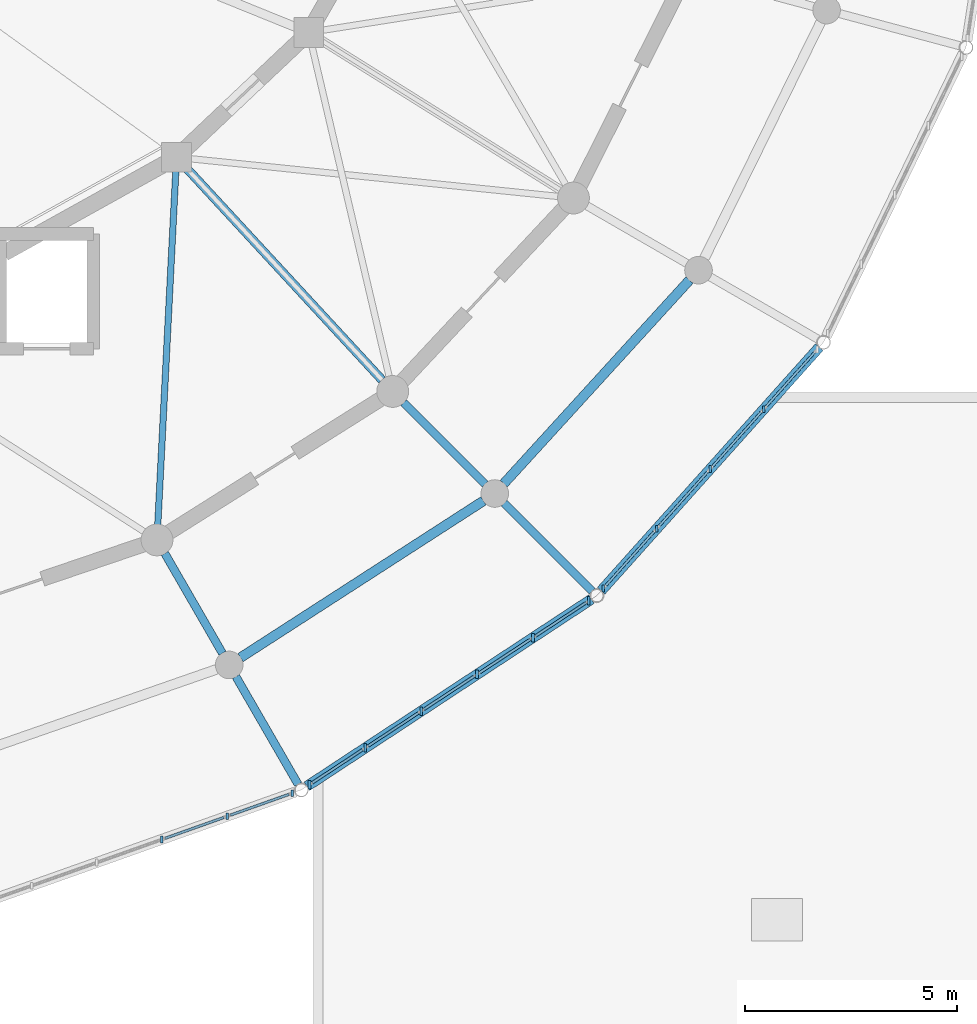
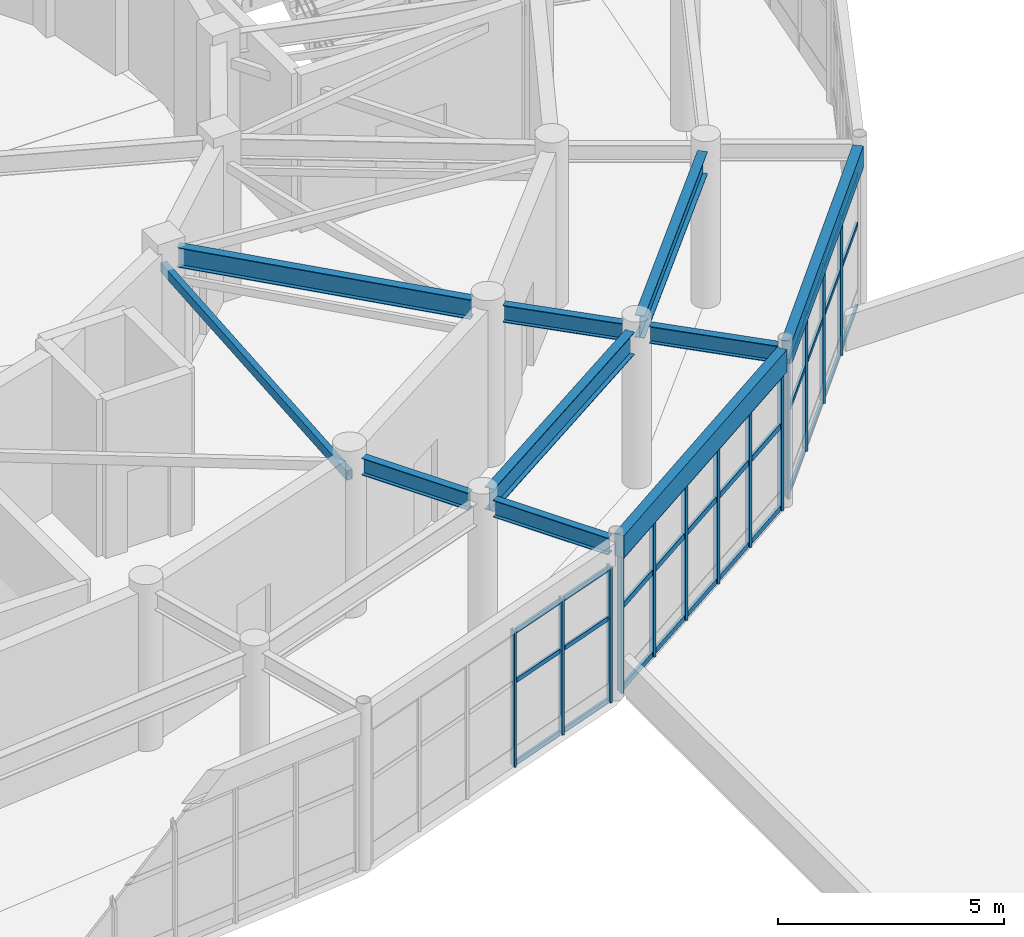
# One storey, part 59 of 112: 47 members, 9 beams, 3 elements without a shape of their own.
"""IFC4 building model written with IfcOpenShell, lengths in metres."""

from ifc_helpers import new_model, si_unit, direction, frame, origin, origin_2d, place, context, subcontext, project, spatial, rectangle, hollow_rectangle, i_section, extrude, material, material_profile, profile_set, type_object, element, aggregate, save


model = new_model("IFC4")

# Units and contexts
model_context = context("Model", 3, precision=1e-05, world=origin(), true_north=direction((0.0, 1.0)))
body_context = subcontext(model_context, "Body", "Model", "MODEL_VIEW")
ifc_project = project(units=[si_unit("LENGTHUNIT", "METRE"), si_unit("AREAUNIT", "SQUARE_METRE"), si_unit("VOLUMEUNIT", "CUBIC_METRE"), si_unit("PLANEANGLEUNIT", "RADIAN"), si_unit("MASSUNIT", "GRAM", prefix="KILO")], contexts=[model_context])

# Site, building, storey
site_placement = place(None, origin())
site = spatial("IfcSite", under=ifc_project, at=site_placement, CompositionType="ELEMENT")
building_placement = place(site_placement, origin())
building = spatial("IfcBuilding", under=site, at=building_placement, Name="Cinderbank Siding Concert Hall", CompositionType="ELEMENT")
storey_placement = place(building_placement, frame((0.0, 0.0, 10.199951171875)))
storey = spatial("IfcBuildingStorey", under=building, at=storey_placement, Name="L03", CompositionType="ELEMENT", Elevation=10.199951171875)

# Beams
ifc_material_1 = material(Name="Structural steel AS/NZS 3679.1 Grade 350 (340 MPa)", Category="steel")
ifc_material_profile_1 = material_profile(ifc_material_1, i_section(OverallWidth=0.19091796875, OverallDepth=0.46044921875, WebThickness=0.010009765625, FlangeThickness=0.01611328125, at=origin_2d()), Name="460UB82.1", Category="LoadBearing")
ifc_profile_set_1 = profile_set([ifc_material_profile_1], Name="Structural steel AS/NZS 3679.1 Grade 350 (340 MPa)")
beam_type_1 = type_object("IfcBeamType", Name="BM-UB460H 460UB82.1", PredefinedType="BEAM", material=ifc_profile_set_1)
beam_1_placement = place(storey_placement, frame((135.58349609375, 24.629638671875, 4.011962890625), z_axis=(0.499987022033, -0.866032896488, 0.0), x_axis=(0.866032896488, 0.499987022033, 0.0)))
element("IfcBeam", 1, at=beam_1_placement, inside=storey, type_object=beam_type_1, Name="L03 Beam BM-UB460H #623", PredefinedType="BEAM", context=body_context, shape_type="SweptSolid", body=[
    extrude(i_section(OverallWidth=0.19091796875, OverallDepth=0.46044921875, WebThickness=0.010009765625, FlangeThickness=0.01611328125, at=origin_2d()), origin(), (0.0, 0.0, 1.0), 2.7158203125),
])
beam_2_placement = place(storey_placement, frame((141.2099609375, 28.18408203125, 4.011962890625), z_axis=(0.707151723938, -0.707061835578, 0.0), x_axis=(0.707061835578, 0.707151723938, 0.0)))
element("IfcBeam", 2, at=beam_2_placement, inside=storey, type_object=beam_type_1, Name="L03 Beam BM-UB460H #624", PredefinedType="BEAM", context=body_context, shape_type="SweptSolid", body=[
    extrude(i_section(OverallWidth=0.19091796875, OverallDepth=0.46044921875, WebThickness=0.010009765625, FlangeThickness=0.01611328125, at=origin_2d()), origin(), (0.0, 0.0, 1.0), 2.716064453125),
])
for number, where, z_axis, x_axis, name in (
    (3, (137.258544921875, 21.728515625, 4.0517578125), (0.499958157915, -0.866049559976, 0.0), (0.866049559976, 0.499958157915, 0.0), "L03 Beam BM-UB460H #648"),
    (4, (143.578857421875, 25.815185546875, 4.0517578125), (0.707106781187, -0.707106781187, 0.0), (0.707106781187, 0.707106781187, 0.0), "L03 Beam BM-UB460H #649"),
):
    element("IfcBeam", number, at=place(storey_placement, frame(where, z_axis=z_axis, x_axis=x_axis)), inside=storey, type_object=beam_type_1, Name=name, PredefinedType="BEAM", context=body_context, shape_type="SweptSolid", body=[
        extrude(i_section(OverallWidth=0.19091796875, OverallDepth=0.46044921875, WebThickness=0.010009765625, FlangeThickness=0.01611328125, at=origin_2d()), origin(), (0.0, 0.0, 1.0), 2.928955078125),
    ])
ifc_material_profile_2 = material_profile(ifc_material_1, i_section(OverallWidth=0.208984375, OverallDepth=0.532958984375, WebThickness=0.01025390625, FlangeThickness=0.015625, at=origin_2d()), Name="530UB92.4", Category="LoadBearing")
ifc_profile_set_2 = profile_set([ifc_material_profile_2], Name="Structural steel AS/NZS 3679.1 Grade 350 (340 MPa)")
beam_type_2 = type_object("IfcBeamType", Name="BM-UB530H 530UB92.4", PredefinedType="BEAM", material=ifc_profile_set_2)
beam_3_placement = place(storey_placement, frame((136.09130859375, 33.707763671875, 3.985595703125), z_axis=(0.67829203735, -0.734792427879, 0.0), x_axis=(0.734792427879, 0.67829203735, 0.0)))
element("IfcBeam", 5, at=beam_3_placement, inside=storey, type_object=beam_type_2, Name="L03 Beam BM-UB530H #601", PredefinedType="BEAM", context=body_context, shape_type="SweptSolid", body=[
    extrude(i_section(OverallWidth=0.208984375, OverallDepth=0.532958984375, WebThickness=0.01025390625, FlangeThickness=0.015625, at=origin_2d()), origin(), (0.0, 0.0, 1.0), 6.797119140625),
])
ifc_material_profile_3 = material_profile(ifc_material_1, i_section(OverallWidth=0.22802734375, OverallDepth=0.60693359375, WebThickness=0.01123046875, FlangeThickness=0.017333984375, at=origin_2d()), Name="610UB113", Category="LoadBearing")
ifc_profile_set_3 = profile_set([ifc_material_profile_3], Name="Structural steel AS/NZS 3679.1 Grade 350 (340 MPa)")
beam_type_3 = type_object("IfcBeamType", Name="BM-UB610M 610UB113", PredefinedType="BEAM", material=ifc_profile_set_3)
beam_4_placement = place(storey_placement, frame((137.3662109375, 22.1748046875, 3.9384765625), z_axis=(0.840219727246, 0.542246078775, 0.0), x_axis=(-0.542246078775, 0.840219727246, 0.0)))
element("IfcBeam", 6, at=beam_4_placement, inside=storey, type_object=beam_type_3, Name="L03 Beam BM-UB610M #565", PredefinedType="BEAM", context=body_context, shape_type="SweptSolid", body=[
    extrude(i_section(OverallWidth=0.22802734375, OverallDepth=0.60693359375, WebThickness=0.01123046875, FlangeThickness=0.017333984375, at=origin_2d()), origin(), (0.0, 0.0, 1.0), 6.810302734375),
])
beam_5_placement = place(storey_placement, frame((143.568359375, 26.273681640625, 3.9384765625), z_axis=(0.67395874418, 0.73876898361, 0.0), x_axis=(-0.73876898361, 0.67395874418, 0.0)))
element("IfcBeam", 7, at=beam_5_placement, inside=storey, type_object=beam_type_3, Name="L03 Beam BM-UB610M #566", PredefinedType="BEAM", context=body_context, shape_type="SweptSolid", body=[
    extrude(i_section(OverallWidth=0.22802734375, OverallDepth=0.60693359375, WebThickness=0.01123046875, FlangeThickness=0.017333984375, at=origin_2d()), origin(), (0.0, 0.0, 1.0), 6.48681640625),
])

# Curtain wall, members
ifc_material_2 = material(Name="Anodised aluminium alloy 6063-T6", Category="aluminium")
curtain_wall_type_1 = type_object("IfcCurtainWallType", Name="CW-08 Unitised Acoustic Curtain Wall 6400x3800", PredefinedType="NOTDEFINED", material=ifc_material_2)
curtain_wall_1_placement = place(storey_placement, origin())
curtain_wall_1 = element("IfcCurtainWall", 8, at=curtain_wall_1_placement, inside=storey, type_object=curtain_wall_type_1, Name="L03 Curtain Wall CW-08 #44", PredefinedType="NOTDEFINED")
ifc_material_profile_4 = material_profile(ifc_material_2, rectangle(XDim=0.06005859375, YDim=0.159912109375, at=origin_2d()), Name="ALU-MULL-60x160", Category="LoadBearing")
ifc_profile_set_4 = profile_set([ifc_material_profile_4], Name="Anodised aluminium alloy 6063-T6")
member_type_1 = type_object("IfcMemberType", Name="CW-ML1 Mullion 60x160", PredefinedType="MULLION", material=ifc_profile_set_4)
member_1_placement = place(storey_placement, frame((135.515625, 17.892333984375, 0.0), z_axis=(0.0, 0.0, 1.0), x_axis=(1.0, 0.0, 0.0)))
member_1 = element("IfcMember", 9, at=member_1_placement, type_object=member_type_1, Name="CW-L03-044 Mullion 3", PredefinedType="MULLION", context=body_context, shape_type="SweptSolid", body=[
    extrude(rectangle(XDim=0.06005859375, YDim=0.159912109375, at=origin_2d()), origin(), (0.0, 0.0, 1.0), 3.6669921875),
])
member_2_placement = place(storey_placement, frame((137.05078125, 18.4375, 0.0), z_axis=(0.0, 0.0, 1.0), x_axis=(1.0, 0.0, 0.0)))
member_2 = element("IfcMember", 10, at=member_2_placement, type_object=member_type_1, Name="CW-L03-044 Mullion 4", PredefinedType="MULLION", context=body_context, shape_type="SweptSolid", body=[
    extrude(rectangle(XDim=0.06005859375, YDim=0.159912109375, at=origin_2d()), origin(), (0.0, 0.0, 1.0), 3.6669921875),
])
member_3_placement = place(storey_placement, frame((138.586181640625, 18.982666015625, 0.0), z_axis=(0.0, 0.0, 1.0), x_axis=(1.0, 0.0, 0.0)))
member_3 = element("IfcMember", 11, at=member_3_placement, type_object=member_type_1, Name="CW-L03-044 Mullion 5", PredefinedType="MULLION", context=body_context, shape_type="SweptSolid", body=[
    extrude(rectangle(XDim=0.06005859375, YDim=0.159912109375, at=origin_2d()), origin(), (0.0, 0.0, 1.0), 3.6669921875),
])

curtain_wall_type_2 = type_object("IfcCurtainWallType", Name="CW-10 Unitised Acoustic Curtain Wall 7200x3500", PredefinedType="NOTDEFINED", material=ifc_material_2)
curtain_wall_2_placement = place(storey_placement, origin())
curtain_wall_2 = element("IfcCurtainWall", 12, at=curtain_wall_2_placement, inside=storey, type_object=curtain_wall_type_2, Name="L03 Curtain Wall CW-10 #46", PredefinedType="NOTDEFINED")
member_4_placement = place(storey_placement, frame((145.91015625, 23.804443359375, 0.0), z_axis=(0.0, 0.0, 1.0), x_axis=(1.0, 0.0, 0.0)))
member_4 = element("IfcMember", 13, at=member_4_placement, type_object=member_type_1, Name="CW-L03-046 Mullion 0", PredefinedType="MULLION", context=body_context, shape_type="SweptSolid", body=[
    extrude(rectangle(XDim=0.06005859375, YDim=0.159912109375, at=origin_2d()), origin(), (0.0, 0.0, 1.0), 3.6669921875),
])
member_5_placement = place(storey_placement, frame((147.16943359375, 25.2109375, 0.0), z_axis=(0.0, 0.0, 1.0), x_axis=(1.0, 0.0, 0.0)))
member_5 = element("IfcMember", 14, at=member_5_placement, type_object=member_type_1, Name="CW-L03-046 Mullion 1", PredefinedType="MULLION", context=body_context, shape_type="SweptSolid", body=[
    extrude(rectangle(XDim=0.06005859375, YDim=0.159912109375, at=origin_2d()), origin(), (0.0, 0.0, 1.0), 3.6669921875),
])
member_6_placement = place(storey_placement, frame((148.4287109375, 26.61767578125, 0.0), z_axis=(0.0, 0.0, 1.0), x_axis=(1.0, 0.0, 0.0)))
member_6 = element("IfcMember", 15, at=member_6_placement, type_object=member_type_1, Name="CW-L03-046 Mullion 2", PredefinedType="MULLION", context=body_context, shape_type="SweptSolid", body=[
    extrude(rectangle(XDim=0.06005859375, YDim=0.159912109375, at=origin_2d()), origin(), (0.0, 0.0, 1.0), 3.6669921875),
])
member_7_placement = place(storey_placement, frame((149.68798828125, 28.0244140625, 0.0), z_axis=(0.0, 0.0, 1.0), x_axis=(1.0, 0.0, 0.0)))
member_7 = element("IfcMember", 16, at=member_7_placement, type_object=member_type_1, Name="CW-L03-046 Mullion 3", PredefinedType="MULLION", context=body_context, shape_type="SweptSolid", body=[
    extrude(rectangle(XDim=0.06005859375, YDim=0.159912109375, at=origin_2d()), origin(), (0.0, 0.0, 1.0), 3.6669921875),
])

curtain_wall_type_3 = type_object("IfcCurtainWallType", Name="CW-09 Unitised Acoustic Curtain Wall 8000x3500", PredefinedType="NOTDEFINED", material=ifc_material_2)
curtain_wall_3_placement = place(storey_placement, origin())
curtain_wall_3 = element("IfcCurtainWall", 17, at=curtain_wall_3_placement, inside=storey, type_object=curtain_wall_type_3, Name="L03 Curtain Wall CW-09 #45", PredefinedType="NOTDEFINED")
ifc_material_profile_5 = material_profile(ifc_material_2, rectangle(XDim=0.06494140625, YDim=0.199951171875, at=origin_2d()), Name="ALU-MULL-65x200", Category="LoadBearing")
ifc_profile_set_5 = profile_set([ifc_material_profile_5], Name="Anodised aluminium alloy 6063-T6")
member_type_2 = type_object("IfcMemberType", Name="CW-ML2 Mullion 65x200", PredefinedType="MULLION", material=ifc_profile_set_5)
member_8_placement = place(storey_placement, frame((138.989501953125, 19.18310546875, 0.0), z_axis=(0.0, 0.0, 1.0), x_axis=(1.0, 0.0, 0.0)))
member_8 = element("IfcMember", 18, at=member_8_placement, type_object=member_type_2, Name="CW-L03-045 Mullion 0", PredefinedType="MULLION", context=body_context, shape_type="SweptSolid", body=[
    extrude(rectangle(XDim=0.06494140625, YDim=0.199951171875, at=origin_2d()), origin(), (0.0, 0.0, 1.0), 3.6669921875),
])
member_9_placement = place(storey_placement, frame((140.305419921875, 20.048583984375, 0.0), z_axis=(0.0, 0.0, 1.0), x_axis=(1.0, 0.0, 0.0)))
member_9 = element("IfcMember", 19, at=member_9_placement, type_object=member_type_2, Name="CW-L03-045 Mullion 1", PredefinedType="MULLION", context=body_context, shape_type="SweptSolid", body=[
    extrude(rectangle(XDim=0.06494140625, YDim=0.199951171875, at=origin_2d()), origin(), (0.0, 0.0, 1.0), 3.6669921875),
])
member_10_placement = place(storey_placement, frame((141.621337890625, 20.914306640625, 0.0), z_axis=(0.0, 0.0, 1.0), x_axis=(1.0, 0.0, 0.0)))
member_10 = element("IfcMember", 20, at=member_10_placement, type_object=member_type_2, Name="CW-L03-045 Mullion 2", PredefinedType="MULLION", context=body_context, shape_type="SweptSolid", body=[
    extrude(rectangle(XDim=0.06494140625, YDim=0.199951171875, at=origin_2d()), origin(), (0.0, 0.0, 1.0), 3.6669921875),
])
member_11_placement = place(storey_placement, frame((142.9375, 21.779541015625, 0.0), z_axis=(0.0, 0.0, 1.0), x_axis=(1.0, 0.0, 0.0)))
member_11 = element("IfcMember", 21, at=member_11_placement, type_object=member_type_2, Name="CW-L03-045 Mullion 3", PredefinedType="MULLION", context=body_context, shape_type="SweptSolid", body=[
    extrude(rectangle(XDim=0.06494140625, YDim=0.199951171875, at=origin_2d()), origin(), (0.0, 0.0, 1.0), 3.6669921875),
])
member_12_placement = place(storey_placement, frame((144.25341796875, 22.64501953125, 0.0), z_axis=(0.0, 0.0, 1.0), x_axis=(1.0, 0.0, 0.0)))
member_12 = element("IfcMember", 22, at=member_12_placement, type_object=member_type_2, Name="CW-L03-045 Mullion 4", PredefinedType="MULLION", context=body_context, shape_type="SweptSolid", body=[
    extrude(rectangle(XDim=0.06494140625, YDim=0.199951171875, at=origin_2d()), origin(), (0.0, 0.0, 1.0), 3.6669921875),
])
member_13_placement = place(storey_placement, frame((145.569091796875, 23.510498046875, 0.0), z_axis=(0.0, 0.0, 1.0), x_axis=(1.0, 0.0, 0.0)))
member_13 = element("IfcMember", 23, at=member_13_placement, type_object=member_type_2, Name="CW-L03-045 Mullion 5", PredefinedType="MULLION", context=body_context, shape_type="SweptSolid", body=[
    extrude(rectangle(XDim=0.06494140625, YDim=0.199951171875, at=origin_2d()), origin(), (0.0, 0.0, 1.0), 3.6669921875),
])

# Member
ifc_material_profile_6 = material_profile(ifc_material_2, rectangle(XDim=0.06005859375, YDim=0.1201171875, at=origin_2d()), Name="ALU-TRAN-60x120", Category="LoadBearing")
ifc_profile_set_6 = profile_set([ifc_material_profile_6], Name="Anodised aluminium alloy 6063-T6")
member_type_3 = type_object("IfcMemberType", Name="CW-TR1 Transom 60x120", PredefinedType="USERDEFINED", material=ifc_profile_set_6)
member_14_placement = place(storey_placement, frame((135.592529296875, 17.919677734375, 0.06005859375), z_axis=(0.942376945381, 0.334552974602, 0.0), x_axis=(-0.334552974602, 0.942376945381, 0.0)))
member_14 = element("IfcMember", 24, at=member_14_placement, type_object=member_type_3, Name="CW-L03-044 Transom 3-0", ObjectType="TRANSOM", PredefinedType="USERDEFINED", context=body_context, shape_type="SweptSolid", body=[
    extrude(rectangle(XDim=0.06005859375, YDim=0.1201171875, at=origin_2d()), origin(), (0.0, 0.0, 1.0), 1.466064453125),
])

member_15_placement = place(storey_placement, frame((135.592529296875, 17.919677734375, 2.2734375), z_axis=(0.942376945381, 0.334552974602, 0.0), x_axis=(-0.334552974602, 0.942376945381, 0.0)))
member_15 = element("IfcMember", 25, at=member_15_placement, type_object=member_type_3, Name="CW-L03-044 Transom 3-1", ObjectType="TRANSOM", PredefinedType="USERDEFINED", context=body_context, shape_type="SweptSolid", body=[
    extrude(rectangle(XDim=0.06005859375, YDim=0.1201171875, at=origin_2d()), origin(), (0.0, 0.0, 1.0), 1.466064453125),
])

member_16_placement = place(storey_placement, frame((135.592529296875, 17.919677734375, 3.60693359375), z_axis=(0.942376945381, 0.334552974602, 0.0), x_axis=(-0.334552974602, 0.942376945381, 0.0)))
member_16 = element("IfcMember", 26, at=member_16_placement, type_object=member_type_3, Name="CW-L03-044 Transom 3-2", ObjectType="TRANSOM", PredefinedType="USERDEFINED", context=body_context, shape_type="SweptSolid", body=[
    extrude(rectangle(XDim=0.06005859375, YDim=0.1201171875, at=origin_2d()), origin(), (0.0, 0.0, 1.0), 1.466064453125),
])

member_17_placement = place(storey_placement, frame((137.127685546875, 18.46484375, 0.06005859375), z_axis=(0.942395579657, 0.334500480482, 0.0), x_axis=(-0.334500480482, 0.942395579657, 0.0)))
member_17 = element("IfcMember", 27, at=member_17_placement, type_object=member_type_3, Name="CW-L03-044 Transom 4-0", ObjectType="TRANSOM", PredefinedType="USERDEFINED", context=body_context, shape_type="SweptSolid", body=[
    extrude(rectangle(XDim=0.06005859375, YDim=0.1201171875, at=origin_2d()), origin(), (0.0, 0.0, 1.0), 1.46630859375),
])

member_18_placement = place(storey_placement, frame((137.127685546875, 18.46484375, 2.2734375), z_axis=(0.942395579657, 0.334500480482, 0.0), x_axis=(-0.334500480482, 0.942395579657, 0.0)))
member_18 = element("IfcMember", 28, at=member_18_placement, type_object=member_type_3, Name="CW-L03-044 Transom 4-1", ObjectType="TRANSOM", PredefinedType="USERDEFINED", context=body_context, shape_type="SweptSolid", body=[
    extrude(rectangle(XDim=0.06005859375, YDim=0.1201171875, at=origin_2d()), origin(), (0.0, 0.0, 1.0), 1.46630859375),
])

member_19_placement = place(storey_placement, frame((137.127685546875, 18.46484375, 3.60693359375), z_axis=(0.942395579657, 0.334500480482, 0.0), x_axis=(-0.334500480482, 0.942395579657, 0.0)))
member_19 = element("IfcMember", 29, at=member_19_placement, type_object=member_type_3, Name="CW-L03-044 Transom 4-2", ObjectType="TRANSOM", PredefinedType="USERDEFINED", context=body_context, shape_type="SweptSolid", body=[
    extrude(rectangle(XDim=0.06005859375, YDim=0.1201171875, at=origin_2d()), origin(), (0.0, 0.0, 1.0), 1.46630859375),
])

aggregate(curtain_wall_1, [member_1, member_2, member_3, member_14, member_15, member_16, member_17, member_18, member_19])

member_20_placement = place(storey_placement, frame((145.97314453125, 23.874755859375, 0.06005859375), z_axis=(0.667017441515, 0.745042101304, 0.0), x_axis=(-0.745042101304, 0.667017441515, 0.0)))
member_20 = element("IfcMember", 30, at=member_20_placement, type_object=member_type_3, Name="CW-L03-046 Transom 0-0", ObjectType="TRANSOM", PredefinedType="USERDEFINED", context=body_context, shape_type="SweptSolid", body=[
    extrude(rectangle(XDim=0.06005859375, YDim=0.1201171875, at=origin_2d()), origin(), (0.0, 0.0, 1.0), 1.698974609375),
])

member_21_placement = place(storey_placement, frame((145.97314453125, 23.874755859375, 2.2734375), z_axis=(0.667017441515, 0.745042101304, 0.0), x_axis=(-0.745042101304, 0.667017441515, 0.0)))
member_21 = element("IfcMember", 31, at=member_21_placement, type_object=member_type_3, Name="CW-L03-046 Transom 0-1", ObjectType="TRANSOM", PredefinedType="USERDEFINED", context=body_context, shape_type="SweptSolid", body=[
    extrude(rectangle(XDim=0.06005859375, YDim=0.1201171875, at=origin_2d()), origin(), (0.0, 0.0, 1.0), 1.698974609375),
])

member_22_placement = place(storey_placement, frame((145.97314453125, 23.874755859375, 3.60693359375), z_axis=(0.667017441515, 0.745042101304, 0.0), x_axis=(-0.745042101304, 0.667017441515, 0.0)))
member_22 = element("IfcMember", 32, at=member_22_placement, type_object=member_type_3, Name="CW-L03-046 Transom 0-2", ObjectType="TRANSOM", PredefinedType="USERDEFINED", context=body_context, shape_type="SweptSolid", body=[
    extrude(rectangle(XDim=0.06005859375, YDim=0.1201171875, at=origin_2d()), origin(), (0.0, 0.0, 1.0), 1.698974609375),
])

member_23_placement = place(storey_placement, frame((147.232421875, 25.281494140625, 0.06005859375), z_axis=(0.667017441515, 0.745042101304, 0.0), x_axis=(-0.745042101304, 0.667017441515, 0.0)))
member_23 = element("IfcMember", 33, at=member_23_placement, type_object=member_type_3, Name="CW-L03-046 Transom 1-0", ObjectType="TRANSOM", PredefinedType="USERDEFINED", context=body_context, shape_type="SweptSolid", body=[
    extrude(rectangle(XDim=0.06005859375, YDim=0.1201171875, at=origin_2d()), origin(), (0.0, 0.0, 1.0), 1.698974609375),
])

member_24_placement = place(storey_placement, frame((147.232421875, 25.281494140625, 2.2734375), z_axis=(0.667017441515, 0.745042101304, 0.0), x_axis=(-0.745042101304, 0.667017441515, 0.0)))
member_24 = element("IfcMember", 34, at=member_24_placement, type_object=member_type_3, Name="CW-L03-046 Transom 1-1", ObjectType="TRANSOM", PredefinedType="USERDEFINED", context=body_context, shape_type="SweptSolid", body=[
    extrude(rectangle(XDim=0.06005859375, YDim=0.1201171875, at=origin_2d()), origin(), (0.0, 0.0, 1.0), 1.698974609375),
])

member_25_placement = place(storey_placement, frame((147.232421875, 25.281494140625, 3.60693359375), z_axis=(0.667017441515, 0.745042101304, 0.0), x_axis=(-0.745042101304, 0.667017441515, 0.0)))
member_25 = element("IfcMember", 35, at=member_25_placement, type_object=member_type_3, Name="CW-L03-046 Transom 1-2", ObjectType="TRANSOM", PredefinedType="USERDEFINED", context=body_context, shape_type="SweptSolid", body=[
    extrude(rectangle(XDim=0.06005859375, YDim=0.1201171875, at=origin_2d()), origin(), (0.0, 0.0, 1.0), 1.698974609375),
])

member_26_placement = place(storey_placement, frame((148.49169921875, 26.68798828125, 0.06005859375), z_axis=(0.667017441515, 0.745042101304, 0.0), x_axis=(-0.745042101304, 0.667017441515, 0.0)))
member_26 = element("IfcMember", 36, at=member_26_placement, type_object=member_type_3, Name="CW-L03-046 Transom 2-0", ObjectType="TRANSOM", PredefinedType="USERDEFINED", context=body_context, shape_type="SweptSolid", body=[
    extrude(rectangle(XDim=0.06005859375, YDim=0.1201171875, at=origin_2d()), origin(), (0.0, 0.0, 1.0), 1.698974609375),
])

member_27_placement = place(storey_placement, frame((148.49169921875, 26.68798828125, 2.2734375), z_axis=(0.667017441515, 0.745042101304, 0.0), x_axis=(-0.745042101304, 0.667017441515, 0.0)))
member_27 = element("IfcMember", 37, at=member_27_placement, type_object=member_type_3, Name="CW-L03-046 Transom 2-1", ObjectType="TRANSOM", PredefinedType="USERDEFINED", context=body_context, shape_type="SweptSolid", body=[
    extrude(rectangle(XDim=0.06005859375, YDim=0.1201171875, at=origin_2d()), origin(), (0.0, 0.0, 1.0), 1.698974609375),
])

member_28_placement = place(storey_placement, frame((148.49169921875, 26.68798828125, 3.60693359375), z_axis=(0.667017441515, 0.745042101304, 0.0), x_axis=(-0.745042101304, 0.667017441515, 0.0)))
member_28 = element("IfcMember", 38, at=member_28_placement, type_object=member_type_3, Name="CW-L03-046 Transom 2-2", ObjectType="TRANSOM", PredefinedType="USERDEFINED", context=body_context, shape_type="SweptSolid", body=[
    extrude(rectangle(XDim=0.06005859375, YDim=0.1201171875, at=origin_2d()), origin(), (0.0, 0.0, 1.0), 1.698974609375),
])

member_29_placement = place(storey_placement, frame((149.750732421875, 28.094482421875, 0.06005859375), z_axis=(0.667025792822, 0.745034624504, 0.0), x_axis=(-0.745034624504, 0.667025792822, 0.0)))
member_29 = element("IfcMember", 39, at=member_29_placement, type_object=member_type_3, Name="CW-L03-046 Transom 3-0", ObjectType="TRANSOM", PredefinedType="USERDEFINED", context=body_context, shape_type="SweptSolid", body=[
    extrude(rectangle(XDim=0.06005859375, YDim=0.1201171875, at=origin_2d()), origin(), (0.0, 0.0, 1.0), 1.699462890625),
])

member_30_placement = place(storey_placement, frame((149.750732421875, 28.094482421875, 2.2734375), z_axis=(0.667025792822, 0.745034624504, 0.0), x_axis=(-0.745034624504, 0.667025792822, 0.0)))
member_30 = element("IfcMember", 40, at=member_30_placement, type_object=member_type_3, Name="CW-L03-046 Transom 3-1", ObjectType="TRANSOM", PredefinedType="USERDEFINED", context=body_context, shape_type="SweptSolid", body=[
    extrude(rectangle(XDim=0.06005859375, YDim=0.1201171875, at=origin_2d()), origin(), (0.0, 0.0, 1.0), 1.699462890625),
])

member_31_placement = place(storey_placement, frame((149.750732421875, 28.094482421875, 3.60693359375), z_axis=(0.667025792822, 0.745034624504, 0.0), x_axis=(-0.745034624504, 0.667025792822, 0.0)))
member_31 = element("IfcMember", 41, at=member_31_placement, type_object=member_type_3, Name="CW-L03-046 Transom 3-2", ObjectType="TRANSOM", PredefinedType="USERDEFINED", context=body_context, shape_type="SweptSolid", body=[
    extrude(rectangle(XDim=0.06005859375, YDim=0.1201171875, at=origin_2d()), origin(), (0.0, 0.0, 1.0), 1.699462890625),
])

aggregate(curtain_wall_2, [member_4, member_5, member_6, member_7, member_20, member_21, member_22, member_23, member_24, member_25, member_26, member_27, member_28, member_29, member_30, member_31])

ifc_material_profile_7 = material_profile(ifc_material_2, rectangle(XDim=0.06494140625, YDim=0.14990234375, at=origin_2d()), Name="ALU-TRAN-65x150", Category="LoadBearing")
ifc_profile_set_7 = profile_set([ifc_material_profile_7], Name="Anodised aluminium alloy 6063-T6")
member_type_4 = type_object("IfcMemberType", Name="CW-TR2 Transom 65x150", PredefinedType="USERDEFINED", material=ifc_profile_set_7)
member_32_placement = place(storey_placement, frame((139.055419921875, 19.2265625, 0.06005859375), z_axis=(0.835531529407, 0.549442502331, 0.0), x_axis=(-0.549442502331, 0.835531529407, 0.0)))
member_32 = element("IfcMember", 42, at=member_32_placement, type_object=member_type_4, Name="CW-L03-045 Transom 0-0", ObjectType="TRANSOM", PredefinedType="USERDEFINED", context=body_context, shape_type="SweptSolid", body=[
    extrude(rectangle(XDim=0.06494140625, YDim=0.14990234375, at=origin_2d()), origin(), (0.0, 0.0, 1.0), 1.41748046875),
])

member_33_placement = place(storey_placement, frame((139.055419921875, 19.2265625, 2.2734375), z_axis=(0.835531529407, 0.549442502331, 0.0), x_axis=(-0.549442502331, 0.835531529407, 0.0)))
member_33 = element("IfcMember", 43, at=member_33_placement, type_object=member_type_4, Name="CW-L03-045 Transom 0-1", ObjectType="TRANSOM", PredefinedType="USERDEFINED", context=body_context, shape_type="SweptSolid", body=[
    extrude(rectangle(XDim=0.06494140625, YDim=0.14990234375, at=origin_2d()), origin(), (0.0, 0.0, 1.0), 1.41748046875),
])

member_34_placement = place(storey_placement, frame((139.055419921875, 19.2265625, 3.60693359375), z_axis=(0.835531529407, 0.549442502331, 0.0), x_axis=(-0.549442502331, 0.835531529407, 0.0)))
member_34 = element("IfcMember", 44, at=member_34_placement, type_object=member_type_4, Name="CW-L03-045 Transom 0-2", ObjectType="TRANSOM", PredefinedType="USERDEFINED", context=body_context, shape_type="SweptSolid", body=[
    extrude(rectangle(XDim=0.06494140625, YDim=0.14990234375, at=origin_2d()), origin(), (0.0, 0.0, 1.0), 1.41748046875),
])

member_35_placement = place(storey_placement, frame((140.371337890625, 20.092041015625, 0.06005859375), z_axis=(0.835531529407, 0.549442502331, 0.0), x_axis=(-0.549442502331, 0.835531529407, 0.0)))
member_35 = element("IfcMember", 45, at=member_35_placement, type_object=member_type_4, Name="CW-L03-045 Transom 1-0", ObjectType="TRANSOM", PredefinedType="USERDEFINED", context=body_context, shape_type="SweptSolid", body=[
    extrude(rectangle(XDim=0.06494140625, YDim=0.14990234375, at=origin_2d()), origin(), (0.0, 0.0, 1.0), 1.41748046875),
])

member_36_placement = place(storey_placement, frame((140.371337890625, 20.092041015625, 2.2734375), z_axis=(0.835531529407, 0.549442502331, 0.0), x_axis=(-0.549442502331, 0.835531529407, 0.0)))
member_36 = element("IfcMember", 46, at=member_36_placement, type_object=member_type_4, Name="CW-L03-045 Transom 1-1", ObjectType="TRANSOM", PredefinedType="USERDEFINED", context=body_context, shape_type="SweptSolid", body=[
    extrude(rectangle(XDim=0.06494140625, YDim=0.14990234375, at=origin_2d()), origin(), (0.0, 0.0, 1.0), 1.41748046875),
])

member_37_placement = place(storey_placement, frame((140.371337890625, 20.092041015625, 3.60693359375), z_axis=(0.835531529407, 0.549442502331, 0.0), x_axis=(-0.549442502331, 0.835531529407, 0.0)))
member_37 = element("IfcMember", 47, at=member_37_placement, type_object=member_type_4, Name="CW-L03-045 Transom 1-2", ObjectType="TRANSOM", PredefinedType="USERDEFINED", context=body_context, shape_type="SweptSolid", body=[
    extrude(rectangle(XDim=0.06494140625, YDim=0.14990234375, at=origin_2d()), origin(), (0.0, 0.0, 1.0), 1.41748046875),
])

member_38_placement = place(storey_placement, frame((141.687255859375, 20.95751953125, 0.06005859375), z_axis=(0.835531529407, 0.549442502331, 0.0), x_axis=(-0.549442502331, 0.835531529407, 0.0)))
member_38 = element("IfcMember", 48, at=member_38_placement, type_object=member_type_4, Name="CW-L03-045 Transom 2-0", ObjectType="TRANSOM", PredefinedType="USERDEFINED", context=body_context, shape_type="SweptSolid", body=[
    extrude(rectangle(XDim=0.06494140625, YDim=0.14990234375, at=origin_2d()), origin(), (0.0, 0.0, 1.0), 1.41748046875),
])

member_39_placement = place(storey_placement, frame((141.687255859375, 20.95751953125, 2.2734375), z_axis=(0.835531529407, 0.549442502331, 0.0), x_axis=(-0.549442502331, 0.835531529407, 0.0)))
member_39 = element("IfcMember", 49, at=member_39_placement, type_object=member_type_4, Name="CW-L03-045 Transom 2-1", ObjectType="TRANSOM", PredefinedType="USERDEFINED", context=body_context, shape_type="SweptSolid", body=[
    extrude(rectangle(XDim=0.06494140625, YDim=0.14990234375, at=origin_2d()), origin(), (0.0, 0.0, 1.0), 1.41748046875),
])

member_40_placement = place(storey_placement, frame((141.687255859375, 20.95751953125, 3.60693359375), z_axis=(0.835531529407, 0.549442502331, 0.0), x_axis=(-0.549442502331, 0.835531529407, 0.0)))
member_40 = element("IfcMember", 50, at=member_40_placement, type_object=member_type_4, Name="CW-L03-045 Transom 2-2", ObjectType="TRANSOM", PredefinedType="USERDEFINED", context=body_context, shape_type="SweptSolid", body=[
    extrude(rectangle(XDim=0.06494140625, YDim=0.14990234375, at=origin_2d()), origin(), (0.0, 0.0, 1.0), 1.41748046875),
])

member_41_placement = place(storey_placement, frame((143.003173828125, 21.822998046875, 0.06005859375), z_axis=(0.835531529407, 0.549442502331, 0.0), x_axis=(-0.549442502331, 0.835531529407, 0.0)))
member_41 = element("IfcMember", 51, at=member_41_placement, type_object=member_type_4, Name="CW-L03-045 Transom 3-0", ObjectType="TRANSOM", PredefinedType="USERDEFINED", context=body_context, shape_type="SweptSolid", body=[
    extrude(rectangle(XDim=0.06494140625, YDim=0.14990234375, at=origin_2d()), origin(), (0.0, 0.0, 1.0), 1.41748046875),
])

member_42_placement = place(storey_placement, frame((143.003173828125, 21.822998046875, 2.2734375), z_axis=(0.835531529407, 0.549442502331, 0.0), x_axis=(-0.549442502331, 0.835531529407, 0.0)))
member_42 = element("IfcMember", 52, at=member_42_placement, type_object=member_type_4, Name="CW-L03-045 Transom 3-1", ObjectType="TRANSOM", PredefinedType="USERDEFINED", context=body_context, shape_type="SweptSolid", body=[
    extrude(rectangle(XDim=0.06494140625, YDim=0.14990234375, at=origin_2d()), origin(), (0.0, 0.0, 1.0), 1.41748046875),
])

member_43_placement = place(storey_placement, frame((143.003173828125, 21.822998046875, 3.60693359375), z_axis=(0.835531529407, 0.549442502331, 0.0), x_axis=(-0.549442502331, 0.835531529407, 0.0)))
member_43 = element("IfcMember", 53, at=member_43_placement, type_object=member_type_4, Name="CW-L03-045 Transom 3-2", ObjectType="TRANSOM", PredefinedType="USERDEFINED", context=body_context, shape_type="SweptSolid", body=[
    extrude(rectangle(XDim=0.06494140625, YDim=0.14990234375, at=origin_2d()), origin(), (0.0, 0.0, 1.0), 1.41748046875),
])

member_44_placement = place(storey_placement, frame((144.319091796875, 22.6884765625, 0.06005859375), z_axis=(0.835531529407, 0.549442502331, 0.0), x_axis=(-0.549442502331, 0.835531529407, 0.0)))
member_44 = element("IfcMember", 54, at=member_44_placement, type_object=member_type_4, Name="CW-L03-045 Transom 4-0", ObjectType="TRANSOM", PredefinedType="USERDEFINED", context=body_context, shape_type="SweptSolid", body=[
    extrude(rectangle(XDim=0.06494140625, YDim=0.14990234375, at=origin_2d()), origin(), (0.0, 0.0, 1.0), 1.41748046875),
])

member_45_placement = place(storey_placement, frame((144.319091796875, 22.6884765625, 2.2734375), z_axis=(0.835531529407, 0.549442502331, 0.0), x_axis=(-0.549442502331, 0.835531529407, 0.0)))
member_45 = element("IfcMember", 55, at=member_45_placement, type_object=member_type_4, Name="CW-L03-045 Transom 4-1", ObjectType="TRANSOM", PredefinedType="USERDEFINED", context=body_context, shape_type="SweptSolid", body=[
    extrude(rectangle(XDim=0.06494140625, YDim=0.14990234375, at=origin_2d()), origin(), (0.0, 0.0, 1.0), 1.41748046875),
])

member_46_placement = place(storey_placement, frame((144.319091796875, 22.6884765625, 3.60693359375), z_axis=(0.835531529407, 0.549442502331, 0.0), x_axis=(-0.549442502331, 0.835531529407, 0.0)))
member_46 = element("IfcMember", 56, at=member_46_placement, type_object=member_type_4, Name="CW-L03-045 Transom 4-2", ObjectType="TRANSOM", PredefinedType="USERDEFINED", context=body_context, shape_type="SweptSolid", body=[
    extrude(rectangle(XDim=0.06494140625, YDim=0.14990234375, at=origin_2d()), origin(), (0.0, 0.0, 1.0), 1.41748046875),
])

aggregate(curtain_wall_3, [member_8, member_9, member_10, member_11, member_12, member_13, member_32, member_33, member_34, member_35, member_36, member_37, member_38, member_39, member_40, member_41, member_42, member_43, member_44, member_45, member_46])

# Beams
ifc_material_3 = material(Name="Spotted gum glulam timber GL18 (42 MPa)", Category="wood")
ifc_material_profile_8 = material_profile(ifc_material_3, rectangle(XDim=0.239990234375, YDim=0.60009765625, at=origin_2d()), Name="GL18-240x600", Category="LoadBearing")
ifc_profile_set_8 = profile_set([ifc_material_profile_8], Name="Spotted gum glulam timber GL18 (42 MPa)")
beam_type_4 = type_object("IfcBeamType", Name="SP-GL600 GL18-240x600", PredefinedType="SPANDREL", material=ifc_profile_set_8)
beam_6_placement = place(storey_placement, frame((138.9287109375, 19.14306640625, 3.98193359375), z_axis=(0.835480702777, 0.549519786074, 0.0), x_axis=(-0.549519786074, 0.835480702777, 0.0)))
element("IfcBeam", 57, at=beam_6_placement, inside=storey, type_object=beam_type_4, Name="L03 Beam SP-GL600 #589", PredefinedType="SPANDREL", context=body_context, shape_type="SweptSolid", body=[
    extrude(rectangle(XDim=0.239990234375, YDim=0.60009765625, at=origin_2d()), origin(), (0.0, 0.0, 1.0), 8.02099609375),
])
beam_7_placement = place(storey_placement, frame((145.861572265625, 23.75, 3.98193359375), z_axis=(0.666985816213, 0.745070413432, 0.0), x_axis=(-0.745070413432, 0.666985816213, 0.0)))
element("IfcBeam", 58, at=beam_7_placement, inside=storey, type_object=beam_type_4, Name="L03 Beam SP-GL600 #590", PredefinedType="SPANDREL", context=body_context, shape_type="SweptSolid", body=[
    extrude(rectangle(XDim=0.239990234375, YDim=0.60009765625, at=origin_2d()), origin(), (0.0, 0.0, 1.0), 7.69775390625),
])

# Member
ifc_material_4 = material(Name="Structural steel hollow section AS/NZS 1163 Grade C350L0 (350 MPa)", Category="steel")
ifc_material_profile_9 = material_profile(ifc_material_4, hollow_rectangle(XDim=0.14990234375, YDim=0.25, WallThickness=0.009033203125, at=origin_2d()), Name="250x150x9.0RHS", Category="LoadBearing")
ifc_profile_set_9 = profile_set([ifc_material_profile_9], Name="Structural steel hollow section AS/NZS 1163 Grade C350L0 (350 MPa)")
member_type_5 = type_object("IfcMemberType", Name="TR-RHS250 250x150x9.0RHS Roof Truss", PredefinedType="RAFTER", material=ifc_profile_set_9)
member_47_placement = place(storey_placement, frame((135.859375, 33.958984375, 3.60009765625), z_axis=(-0.050921362661, -0.998702665874, 0.0), x_axis=(0.998702665874, -0.050921362661, 0.0)))
element("IfcMember", 59, at=member_47_placement, inside=storey, type_object=member_type_5, Name="L03 Roof Truss Member TR-RHS250 #2262", PredefinedType="RAFTER", context=body_context, shape_type="SweptSolid", body=[
    extrude(hollow_rectangle(XDim=0.14990234375, YDim=0.25, WallThickness=0.009033203125, at=origin_2d()), origin(), (0.0, 0.0, 1.0), 9.023193359375),
])

save(model, "model.ifc")
